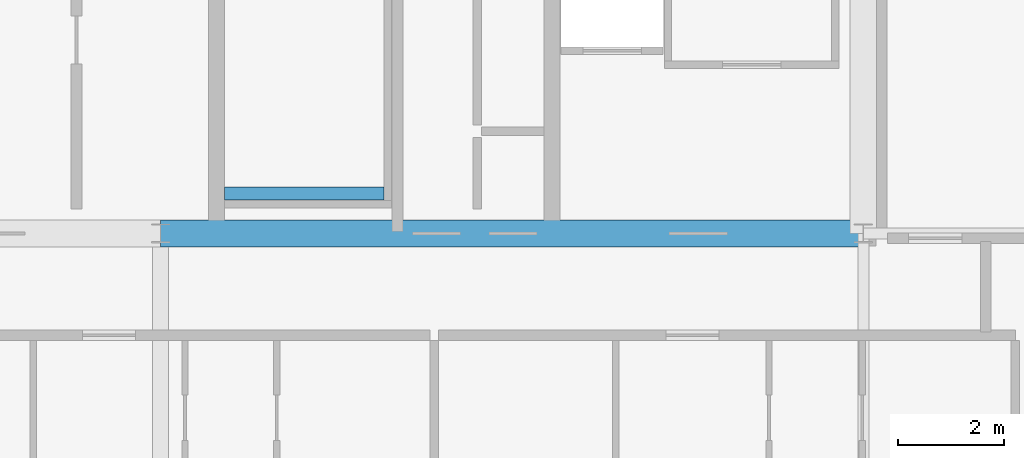
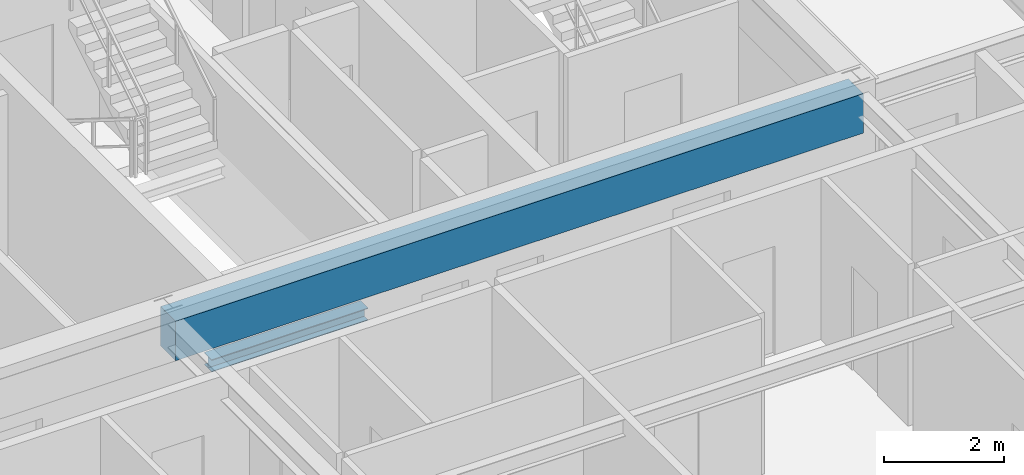
# One storey, part 10 of 35: 2 beams.
"""IFC4 building model written with IfcOpenShell, lengths in metres."""

import ifcopenshell
import ifcopenshell.guid

model = None  # the IFC model being written
_history = None  # IfcOwnerHistory: only IFC2X3 demands one
_inside = {}  # id of a spatial element -> (the spatial element, [elements in it])
_under = {}  # id of a project, library or spatial element -> (it, [spatial elements below it])
_declared = {}  # id of a project -> (the project, [libraries it declares])
_typed = {}  # id of a type object -> (the type object, [elements of that type])
_made_of = {}  # id of a material, layer set ... -> (it, [elements and type objects made of it])


def new_model(schema):
    """Start an empty IFC model of exactly this schema.

    Asked for "IFC4X3", IfcOpenShell would pick the latest addendum, in which some entities
    have other attributes; the version numbers below select the first issue.
    IFC2X3 requires an IfcOwnerHistory on every rooted entity: one is made here for all.
    """
    global model, _history
    if schema == "IFC4X3":
        model = ifcopenshell.file(schema_version=(4, 3, 0, 0))
    else:
        model = ifcopenshell.file(schema=schema)
    _inside.clear()
    _under.clear()
    _declared.clear()
    _typed.clear()
    _made_of.clear()
    _history = None
    if model.schema == "IFC2X3":
        org = make("IfcOrganization", Name="unknown")
        user = make(
            "IfcPersonAndOrganization",
            ThePerson=make("IfcPerson", FamilyName="unknown"),
            TheOrganization=org,
        )
        app = make(
            "IfcApplication",
            ApplicationDeveloper=org,
            Version="unknown",
            ApplicationFullName="unknown",
            ApplicationIdentifier="unknown",
        )
        _history = make(
            "IfcOwnerHistory",
            OwningUser=user,
            OwningApplication=app,
            ChangeAction="ADDED",
            CreationDate=0,
        )
    return model


def make(cls, **values):
    """One entity of the class cls with the attributes given. An attribute that is None is left unset."""
    return model.create_entity(
        cls, **{name: value for name, value in values.items() if value is not None}
    )


def rooted(cls, **values):
    """An entity with a GlobalId (a new one), such as an element, a storey or a relation."""
    return make(cls, GlobalId=ifcopenshell.guid.new(), OwnerHistory=_history, **values)


def si_unit(unit_type, name, prefix=None):
    """IfcSIUnit, for example si_unit("LENGTHUNIT", "METRE", prefix="MILLI")."""
    return make("IfcSIUnit", UnitType=unit_type, Prefix=prefix, Name=name)


def assignment(units):
    """IfcUnitAssignment: the units of a project."""
    return None if units is None else make("IfcUnitAssignment", Units=units)


def point(xyz):
    """IfcCartesianPoint."""
    return None if xyz is None else make("IfcCartesianPoint", Coordinates=xyz)


def direction(xyz):
    """IfcDirection."""
    return None if xyz is None else make("IfcDirection", DirectionRatios=xyz)


def frame(location, z_axis=None, x_axis=None):
    """IfcAxis2Placement3D, a coordinate frame: its origin and axes. An axis left out is left unset."""
    return make(
        "IfcAxis2Placement3D",
        Location=point(location),
        Axis=direction(z_axis),
        RefDirection=direction(x_axis),
    )


def frame_2d(location, x_axis=None):
    """IfcAxis2Placement2D, a coordinate frame in the plane: its origin and x axis."""
    return make(
        "IfcAxis2Placement2D", Location=point(location), RefDirection=direction(x_axis)
    )


def origin():
    """The frame at (0, 0, 0) with its axes left unset."""
    return frame((0.0, 0.0, 0.0))


def origin_2d():
    """The frame at (0, 0) in the plane with its x axis left unset."""
    return frame_2d((0.0, 0.0))


def place(relative_to, where):
    """IfcLocalPlacement: puts the frame where relative to a parent placement (None: the world)."""
    return make(
        "IfcLocalPlacement", PlacementRelTo=relative_to, RelativePlacement=where
    )


def context(
    kind, dimensions, precision=None, world=None, true_north=None, identifier=None
):
    """IfcGeometricRepresentationContext, for example the 3D "Model" context."""
    return make(
        "IfcGeometricRepresentationContext",
        ContextIdentifier=identifier,
        ContextType=kind,
        CoordinateSpaceDimension=dimensions,
        Precision=precision,
        WorldCoordinateSystem=world,
        TrueNorth=true_north,
    )


def subcontext(parent, identifier, kind, view, scale=None):
    """IfcGeometricRepresentationSubContext, for example "Body" below "Model"."""
    return make(
        "IfcGeometricRepresentationSubContext",
        ContextIdentifier=identifier,
        ContextType=kind,
        ParentContext=parent,
        TargetScale=scale,
        TargetView=view,
    )


def project(units=None, contexts=None):
    """IfcProject with its units and contexts."""
    return rooted(
        "IfcProject",
        Name="project",
        RepresentationContexts=contexts,
        UnitsInContext=assignment(units),
    )


def spatial(cls, under=None, at=None, **own):
    """A site, building, storey or space (cls), placed at a placement, below another one or the project."""
    s = rooted(cls, ObjectPlacement=at, **own)
    if under is not None:
        _under.setdefault(under.id(), (under, []))[1].append(s)
    return s


def profile(cls, at=None, kind="AREA", **sizes):
    """A parametric profile (cls). Its sizes go by their IFC names, for example OverallWidth=200.0."""
    return make(cls, ProfileType=kind, Position=at, **sizes)


def rectangle(**sizes):
    """IfcRectangleProfileDef."""
    return profile("IfcRectangleProfileDef", **sizes)


def i_section(**sizes):
    """IfcIShapeProfileDef."""
    return profile("IfcIShapeProfileDef", **sizes)


def extrude(swept, where, along, depth):
    """IfcExtrudedAreaSolid: the profile swept, set in the frame where, extruded along a direction by depth."""
    return make(
        "IfcExtrudedAreaSolid",
        SweptArea=swept,
        Position=where,
        ExtrudedDirection=direction(along),
        Depth=depth,
    )


def shape(context_of_items, identifier, shape_type, items):
    """IfcShapeRepresentation: the items that make up one representation, for example the "Body"."""
    return make(
        "IfcShapeRepresentation",
        ContextOfItems=context_of_items,
        RepresentationIdentifier=identifier,
        RepresentationType=shape_type,
        Items=items,
    )


def source(mapping_origin, context_of_items, identifier, shape_type, items):
    """IfcRepresentationMap: a shape defined once, which mapped items show again and again."""
    return make(
        "IfcRepresentationMap",
        MappingOrigin=mapping_origin,
        MappedRepresentation=shape(context_of_items, identifier, shape_type, items),
    )


def transform(
    local_origin,
    x_axis=None,
    y_axis=None,
    z_axis=None,
    scale=None,
    scale2=None,
    scale3=None,
    uniform=True,
):
    """IfcCartesianTransformationOperator3D, or its non-uniform kind. x_axis, y_axis, z_axis: its Axis1, 2, 3."""
    if uniform:
        return make(
            "IfcCartesianTransformationOperator3D",
            Axis1=direction(x_axis),
            Axis2=direction(y_axis),
            LocalOrigin=point(local_origin),
            Scale=scale,
            Axis3=direction(z_axis),
        )
    return make(
        "IfcCartesianTransformationOperator3DnonUniform",
        Axis1=direction(x_axis),
        Axis2=direction(y_axis),
        LocalOrigin=point(local_origin),
        Scale=scale,
        Axis3=direction(z_axis),
        Scale2=scale2,
        Scale3=scale3,
    )


def mapped(mapping_source, mapping_target):
    """IfcMappedItem: shows the shape of a source again, moved by a transform."""
    return make(
        "IfcMappedItem", MappingSource=mapping_source, MappingTarget=mapping_target
    )


def material(Name=None, Category=None):
    """IfcMaterial."""
    return make("IfcMaterial", Name=Name, Category=Category)


def material_profile(
    of_material, cross_section, Name=None, Category=None, Priority=None
):
    """IfcMaterialProfile: a cross section and its material."""
    return make(
        "IfcMaterialProfile",
        Name=Name,
        Material=of_material,
        Profile=cross_section,
        Priority=Priority,
        Category=Category,
    )


def profile_set(profiles, Name=None, composite=None):
    """IfcMaterialProfileSet."""
    return make(
        "IfcMaterialProfileSet",
        Name=Name,
        MaterialProfiles=profiles,
        CompositeProfile=composite,
    )


def made_of(thing, what):
    """Note that an element or type object is made of a material, layer set ...; save() writes the relation."""
    if what is not None:
        _made_of.setdefault(what.id(), (what, []))[1].append(thing)
    return thing


def type_object(cls, material=None, **own):
    """A type object (cls), such as IfcWallType, which elements share."""
    return made_of(rooted(cls, **own), material)


def element(
    cls,
    number,
    at=None,
    inside=None,
    cuts=None,
    type_object=None,
    material=None,
    context=None,
    identifier="Body",
    shape_type=None,
    held_by="IfcProductDefinitionShape",
    body=None,
    shapes=None,
    **own,
):
    """One element of the class cls, such as IfcWall. Its Tag is "e" and its number.

    at: its placement. inside: the storey or other place that contains it. cuts: it is an
    opening in that element (IfcRelVoidsElement). A single representation is given by context,
    identifier, shape_type and body (its items); several are given by shapes. held_by: the class
    of the entity that holds the representations. save() writes the other relations.
    """
    e = rooted(cls, Tag="e%d" % number, ObjectPlacement=at, **own)
    if body is not None:
        shapes = [shape(context, identifier, shape_type, body)]
    if shapes is not None:
        e.Representation = make(held_by, Representations=shapes)
    if inside is not None:
        _inside.setdefault(inside.id(), (inside, []))[1].append(e)
    if cuts is not None:
        rooted(
            "IfcRelVoidsElement", RelatingBuildingElement=cuts, RelatedOpeningElement=e
        )
    if type_object is not None:
        _typed.setdefault(type_object.id(), (type_object, []))[1].append(e)
    return made_of(e, material)


def aggregate(whole, parts):
    """IfcRelAggregates: a whole, such as a stair, and the parts it consists of."""
    return rooted("IfcRelAggregates", RelatingObject=whole, RelatedObjects=parts)


def save(model, path):
    """Write the relations noted so far, then the file.

    IfcRelAggregates (storeys below a building ...), IfcRelContainedInSpatialStructure (elements
    in a storey), IfcRelDefinesByType, IfcRelAssociatesMaterial and IfcRelDeclares: one each for
    every whole, place, type object, material and project.
    """
    for whole, parts in _under.values():
        aggregate(whole, parts)
    for where, things in _inside.values():
        rooted(
            "IfcRelContainedInSpatialStructure",
            RelatedElements=things,
            RelatingStructure=where,
        )
    for kind, things in _typed.values():
        rooted("IfcRelDefinesByType", RelatedObjects=things, RelatingType=kind)
    for what, things in _made_of.values():
        rooted("IfcRelAssociatesMaterial", RelatedObjects=things, RelatingMaterial=what)
    for by, libraries in _declared.values():
        rooted("IfcRelDeclares", RelatingContext=by, RelatedDefinitions=libraries)
    model.write(path)


model = new_model("IFC4")

# Units and contexts
model_context = context("Model", 3, precision=1e-05, world=origin(), true_north=direction((0.0, 1.0)))
body_context = subcontext(model_context, "Body", "Model", "MODEL_VIEW")
ifc_project = project(units=[si_unit("LENGTHUNIT", "METRE"), si_unit("AREAUNIT", "SQUARE_METRE"), si_unit("VOLUMEUNIT", "CUBIC_METRE"), si_unit("PLANEANGLEUNIT", "RADIAN"), si_unit("MASSUNIT", "GRAM", prefix="KILO"), si_unit("THERMODYNAMICTEMPERATUREUNIT", "KELVIN"), si_unit("POWERUNIT", "WATT")], contexts=[model_context])

# Site, building, storey
site_placement = place(None, origin())
site = spatial("IfcSite", under=ifc_project, at=site_placement, CompositionType="ELEMENT")
building_placement = place(site_placement, origin())
building = spatial("IfcBuilding", under=site, at=building_placement, Name="Yuzanri Waterfront Tower", CompositionType="ELEMENT")
storey_placement = place(building_placement, frame((0.0, 0.0, 311.199951171875)))
storey = spatial("IfcBuildingStorey", under=building, at=storey_placement, Name="L83", CompositionType="ELEMENT", Elevation=311.199951171875)

# Beams
ifc_material_1 = material(Name="Concrete C50", Category="concrete")
ifc_material_profile_1 = material_profile(ifc_material_1, rectangle(XDim=0.5, YDim=0.800048828125, at=origin_2d()), Name="RC 500x800")
ifc_profile_set_1 = profile_set([ifc_material_profile_1], Name="Concrete C50")
beam_type_1 = type_object("IfcBeamType", Name="Core Coupling Lintel Concrete C50 500x800", PredefinedType="LINTEL", material=ifc_profile_set_1)
shared_shape_1 = source(origin(), body_context, "Body", "SweptSolid", [
    extrude(rectangle(XDim=0.5, YDim=0.800048828125, at=origin_2d()), origin(), (0.0, 0.0, 1.0), 13.199951171875),
])
beam_1_placement = place(storey_placement, frame((37.0, 19.39990234375, 2.880126953125), z_axis=(1.0, 0.0, 0.0), x_axis=(0.0, 1.0, 0.0)))
element("IfcBeam", 1, at=beam_1_placement, inside=storey, type_object=beam_type_1, Name="L83 Core Tie Beam CS2", PredefinedType="LINTEL", context=body_context, shape_type="MappedRepresentation", body=[
    mapped(shared_shape_1, transform((0.0, 0.0, 0.0), scale=1.0)),
])
ifc_material_2 = material(Name="Steel Q355B", Category="steel")
ifc_material_profile_2 = material_profile(ifc_material_2, i_section(OverallWidth=0.25, OverallDepth=0.25, WebThickness=0.009033203125, FlangeThickness=0.013916015625, at=origin_2d()), Name="HW 250x250x9x14")
ifc_profile_set_2 = profile_set([ifc_material_profile_2], Name="Steel Q355B")
beam_type_2 = type_object("IfcBeamType", Name="Stair Landing Support Beam Q355B HW 250x250", PredefinedType="BEAM", material=ifc_profile_set_2)
shared_shape_2 = source(origin(), body_context, "Body", "SweptSolid", [
    extrude(i_section(OverallWidth=0.25, OverallDepth=0.25, WebThickness=0.009033203125, FlangeThickness=0.013916015625, at=origin_2d()), origin(), (0.0, 0.0, 1.0), 3.0),
])
beam_2_placement = place(storey_placement, frame((38.199951171875, 20.14990234375, 1.425048828125), z_axis=(1.0, 0.0, 0.0), x_axis=(0.0, 1.0, 0.0)))
element("IfcBeam", 2, at=beam_2_placement, inside=storey, type_object=beam_type_2, Name="L83 Stair Landing Support Beam ST-03-L83-L1-1", PredefinedType="BEAM", context=body_context, shape_type="MappedRepresentation", body=[
    mapped(shared_shape_2, transform((0.0, 0.0, 0.0), scale=1.0)),
])

save(model, "model.ifc")
